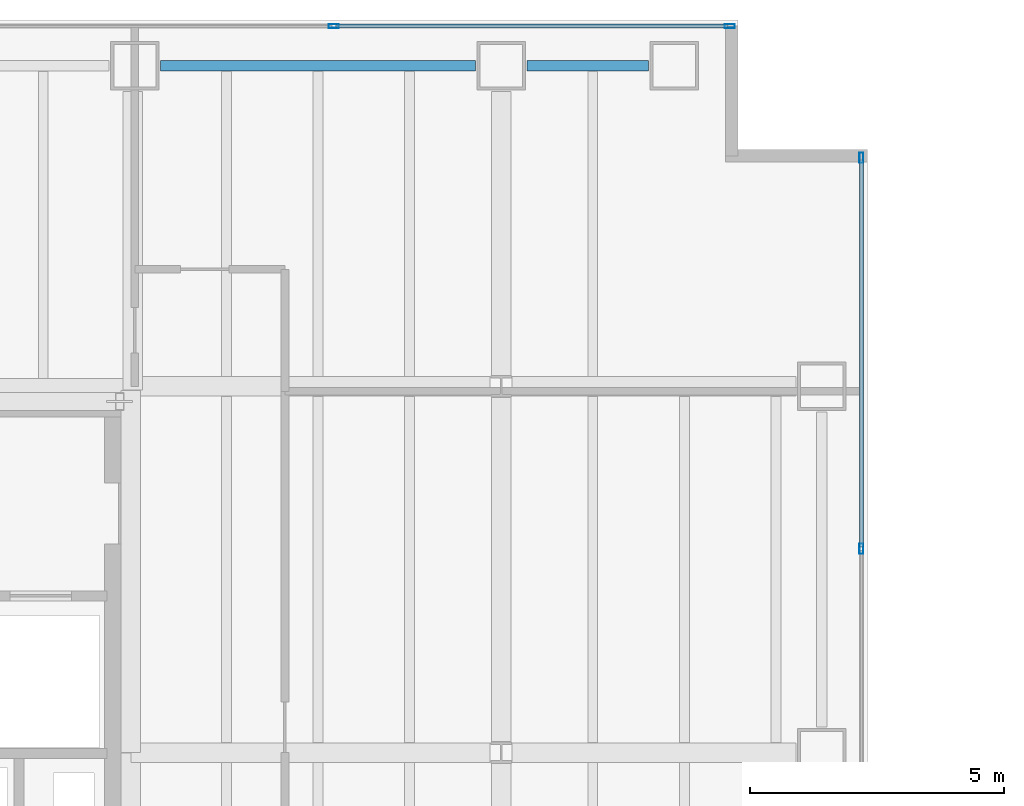
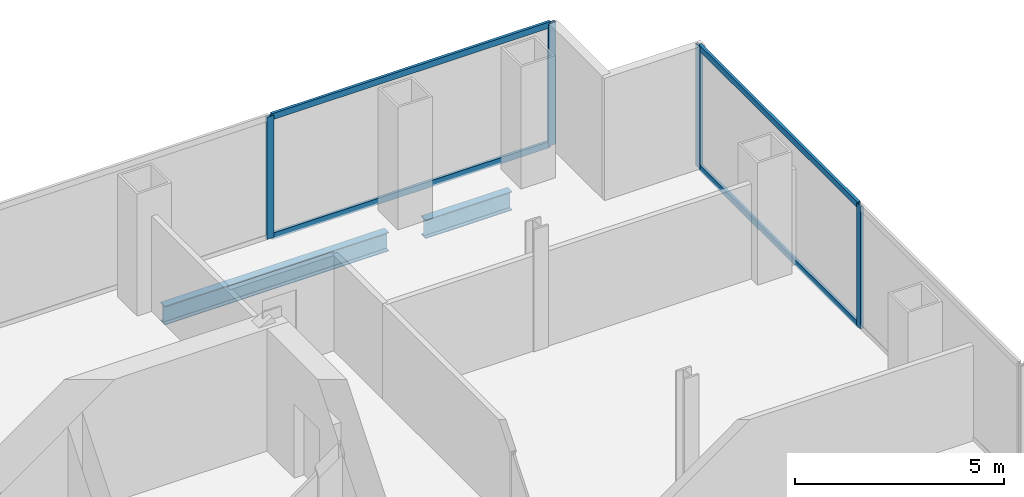
# One storey, part 18 of 24: 8 members, 2 beams, 2 elements without a shape of their own.
"""IFC4 building model written with IfcOpenShell, lengths in metres."""

from ifc_helpers import new_model, si_unit, direction, frame, origin, origin_2d, place, context, subcontext, project, spatial, hollow_rectangle, i_section, extrude, material, material_profile, profile_set, type_object, element, aggregate, save


model = new_model("IFC4")

# Units and contexts
model_context = context("Model", 3, precision=1e-05, world=origin(), true_north=direction((0.0, 1.0)))
body_context = subcontext(model_context, "Body", "Model", "MODEL_VIEW")
ifc_project = project(units=[si_unit("LENGTHUNIT", "METRE"), si_unit("AREAUNIT", "SQUARE_METRE"), si_unit("VOLUMEUNIT", "CUBIC_METRE"), si_unit("PLANEANGLEUNIT", "RADIAN"), si_unit("MASSUNIT", "GRAM", prefix="KILO")], contexts=[model_context])

# Site, building, storey
site_placement = place(None, origin())
site = spatial("IfcSite", under=ifc_project, at=site_placement, CompositionType="ELEMENT")
building_placement = place(site_placement, origin())
building = spatial("IfcBuilding", under=site, at=building_placement, Name="Cobrela Telecom Tower", CompositionType="ELEMENT")
storey_placement = place(building_placement, frame((0.0, 0.0, 77.35009765625)))
storey = spatial("IfcBuildingStorey", under=building, at=storey_placement, Name="L19", CompositionType="ELEMENT", Elevation=77.35009765625)

# Beams
ifc_material_1 = material(Name="Steel ASTM A992 Grade 50", Category="steel")
ifc_material_profile_1 = material_profile(ifc_material_1, i_section(OverallWidth=0.212890625, OverallDepth=0.549072265625, WebThickness=0.0146484375, FlangeThickness=0.023681640625, FilletRadius=0.013916015625, at=origin_2d()), Name="W21X93")
ifc_profile_set_1 = profile_set([ifc_material_profile_1], Name="Steel ASTM A992 Grade 50")
beam_type = type_object("IfcBeamType", Name="BM-SPAND-03", PredefinedType="SPANDREL", material=ifc_profile_set_1)
beam_1_placement = place(storey_placement, frame((14.905029296875, 42.300048828125, -0.5546875), z_axis=(1.0, 0.0, 0.0), x_axis=(0.0, 1.0, 0.0)))
element("IfcBeam", 1, at=beam_1_placement, inside=storey, type_object=beam_type, Name="L19 Perimeter Spandrel X30", PredefinedType="SPANDREL", context=body_context, shape_type="SweptSolid", body=[
    extrude(i_section(OverallWidth=0.212890625, OverallDepth=0.549072265625, WebThickness=0.0146484375, FlangeThickness=0.023681640625, FilletRadius=0.013916015625, at=origin_2d()), origin(), (0.0, 0.0, 1.0), 6.18994140625),
])
beam_2_placement = place(storey_placement, frame((22.10498046875, 42.300048828125, -0.5546875), z_axis=(1.0, 0.0, 0.0), x_axis=(0.0, 1.0, 0.0)))
element("IfcBeam", 2, at=beam_2_placement, inside=storey, type_object=beam_type, Name="L19 Perimeter Spandrel X31", PredefinedType="SPANDREL", context=body_context, shape_type="SweptSolid", body=[
    extrude(i_section(OverallWidth=0.212890625, OverallDepth=0.549072265625, WebThickness=0.0146484375, FlangeThickness=0.023681640625, FilletRadius=0.013916015625, at=origin_2d()), origin(), (0.0, 0.0, 1.0), 2.39013671875),
])

# Curtain wall, members
ifc_material_2 = material(Name="Anodized Bronze Aluminium 6063-T6", Category="aluminium")
curtain_wall_type = type_object("IfcCurtainWallType", Name="CW-SYS-DATA", PredefinedType="USERDEFINED", material=ifc_material_2)
curtain_wall_1_placement = place(storey_placement, origin())
curtain_wall_1 = element("IfcCurtainWall", 3, at=curtain_wall_1_placement, inside=storey, type_object=curtain_wall_type, Name="L19 Unitised Bronze Curtain Wall 07", ObjectType="UNITISED CURTAIN WALL", PredefinedType="USERDEFINED")
ifc_material_profile_2 = material_profile(ifc_material_2, hollow_rectangle(XDim=0.080078125, YDim=0.199951171875, WallThickness=0.00390625, at=origin_2d()), Name="ALU 80x200x4")
ifc_profile_set_2 = profile_set([ifc_material_profile_2], Name="Anodized Bronze Aluminium 6063-T6")
member_type_1 = type_object("IfcMemberType", Name="CW-SYS-DATA-MUL", PredefinedType="MULLION", material=ifc_profile_set_2)
member_1_placement = place(storey_placement, frame((18.31005859375, 43.080078125, 0.0), z_axis=(0.0, 0.0, 1.0), x_axis=(0.0, 1.0, 0.0)))
member_1 = element("IfcMember", 4, at=member_1_placement, type_object=member_type_1, Name="CW-DATA mullion 3", PredefinedType="MULLION", context=body_context, shape_type="SweptSolid", body=[
    extrude(hollow_rectangle(XDim=0.080078125, YDim=0.199951171875, WallThickness=0.00390625, at=origin_2d()), origin(), (0.0, 0.0, 1.0), 3.56982421875),
])
member_2_placement = place(storey_placement, frame((26.090087890625, 43.080078125, 0.0), z_axis=(0.0, 0.0, 1.0), x_axis=(0.0, 1.0, 0.0)))
member_2 = element("IfcMember", 5, at=member_2_placement, type_object=member_type_1, Name="CW-DATA mullion 4", PredefinedType="MULLION", context=body_context, shape_type="SweptSolid", body=[
    extrude(hollow_rectangle(XDim=0.080078125, YDim=0.199951171875, WallThickness=0.00390625, at=origin_2d()), origin(), (0.0, 0.0, 1.0), 3.56982421875),
])

curtain_wall_2_placement = place(storey_placement, origin())
curtain_wall_2 = element("IfcCurtainWall", 6, at=curtain_wall_2_placement, inside=storey, type_object=curtain_wall_type, Name="L19 Unitised Bronze Curtain Wall 10", ObjectType="UNITISED CURTAIN WALL", PredefinedType="USERDEFINED")
member_3_placement = place(storey_placement, frame((28.679931640625, 40.489990234375, 0.0), z_axis=(0.0, 0.0, 1.0), x_axis=(1.0, 0.0, 0.0)))
member_3 = element("IfcMember", 7, at=member_3_placement, type_object=member_type_1, Name="CW-DATA mullion 1", PredefinedType="MULLION", context=body_context, shape_type="SweptSolid", body=[
    extrude(hollow_rectangle(XDim=0.080078125, YDim=0.199951171875, WallThickness=0.00390625, at=origin_2d()), origin(), (0.0, 0.0, 1.0), 3.56982421875),
])
member_4_placement = place(storey_placement, frame((28.679931640625, 32.804931640625, 0.0), z_axis=(0.0, 0.0, 1.0), x_axis=(1.0, 0.0, 0.0)))
member_4 = element("IfcMember", 8, at=member_4_placement, type_object=member_type_1, Name="CW-DATA mullion 2", PredefinedType="MULLION", context=body_context, shape_type="SweptSolid", body=[
    extrude(hollow_rectangle(XDim=0.080078125, YDim=0.199951171875, WallThickness=0.00390625, at=origin_2d()), origin(), (0.0, 0.0, 1.0), 3.56982421875),
])

# Member
ifc_material_profile_3 = material_profile(ifc_material_2, hollow_rectangle(XDim=0.074951171875, YDim=0.179931640625, WallThickness=0.00390625, at=origin_2d()), Name="ALU 75x180x4")
ifc_profile_set_3 = profile_set([ifc_material_profile_3], Name="Anodized Bronze Aluminium 6063-T6")
member_type_2 = type_object("IfcMemberType", Name="CW-SYS-DATA-TRN", PredefinedType="USERDEFINED", material=ifc_profile_set_3)
member_5_placement = place(storey_placement, frame((18.35009765625, 43.080078125, 0.037353515625), z_axis=(1.0, 0.0, 0.0), x_axis=(0.0, 1.0, 0.0)))
member_5 = element("IfcMember", 9, at=member_5_placement, type_object=member_type_2, Name="CW-DATA transom 3.1", ObjectType="TRANSOM", PredefinedType="USERDEFINED", context=body_context, shape_type="SweptSolid", body=[
    extrude(hollow_rectangle(XDim=0.074951171875, YDim=0.179931640625, WallThickness=0.00390625, at=origin_2d()), origin(), (0.0, 0.0, 1.0), 7.699951171875),
])

member_6_placement = place(storey_placement, frame((18.35009765625, 43.080078125, 3.532470703125), z_axis=(1.0, 0.0, 0.0), x_axis=(0.0, 1.0, 0.0)))
member_6 = element("IfcMember", 10, at=member_6_placement, type_object=member_type_2, Name="CW-DATA transom 3.2", ObjectType="TRANSOM", PredefinedType="USERDEFINED", context=body_context, shape_type="SweptSolid", body=[
    extrude(hollow_rectangle(XDim=0.074951171875, YDim=0.179931640625, WallThickness=0.00390625, at=origin_2d()), origin(), (0.0, 0.0, 1.0), 7.699951171875),
])

aggregate(curtain_wall_1, [member_1, member_2, member_5, member_6])

member_7_placement = place(storey_placement, frame((28.679931640625, 40.449951171875, 0.037353515625), z_axis=(0.0, -1.0, 0.0), x_axis=(1.0, 0.0, 0.0)))
member_7 = element("IfcMember", 11, at=member_7_placement, type_object=member_type_2, Name="CW-DATA transom 1.1", ObjectType="TRANSOM", PredefinedType="USERDEFINED", context=body_context, shape_type="SweptSolid", body=[
    extrude(hollow_rectangle(XDim=0.074951171875, YDim=0.179931640625, WallThickness=0.00390625, at=origin_2d()), origin(), (0.0, 0.0, 1.0), 7.60498046875),
])

member_8_placement = place(storey_placement, frame((28.679931640625, 40.449951171875, 3.532470703125), z_axis=(0.0, -1.0, 0.0), x_axis=(1.0, 0.0, 0.0)))
member_8 = element("IfcMember", 12, at=member_8_placement, type_object=member_type_2, Name="CW-DATA transom 1.2", ObjectType="TRANSOM", PredefinedType="USERDEFINED", context=body_context, shape_type="SweptSolid", body=[
    extrude(hollow_rectangle(XDim=0.074951171875, YDim=0.179931640625, WallThickness=0.00390625, at=origin_2d()), origin(), (0.0, 0.0, 1.0), 7.60498046875),
])

aggregate(curtain_wall_2, [member_3, member_4, member_7, member_8])

save(model, "model.ifc")
